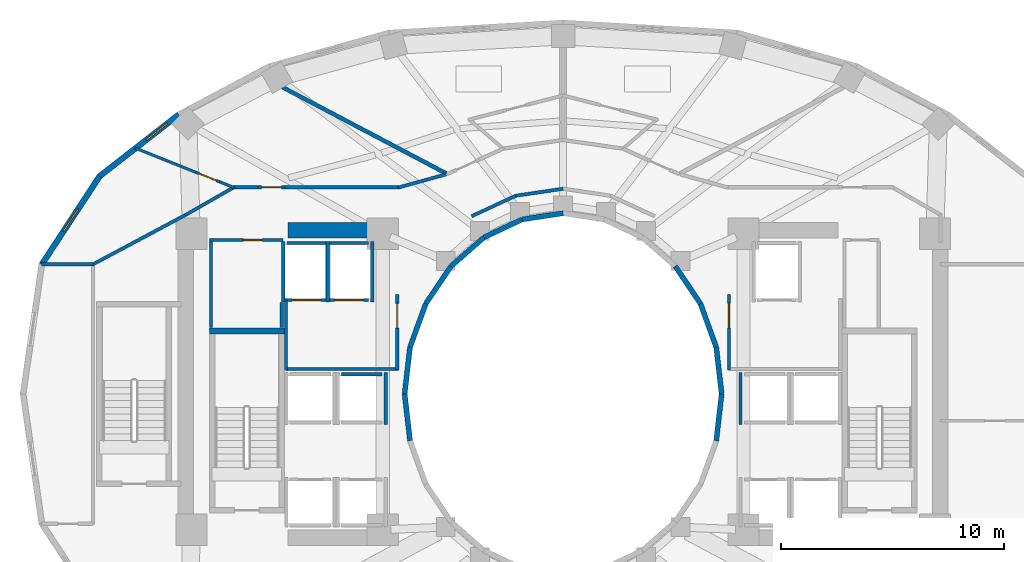
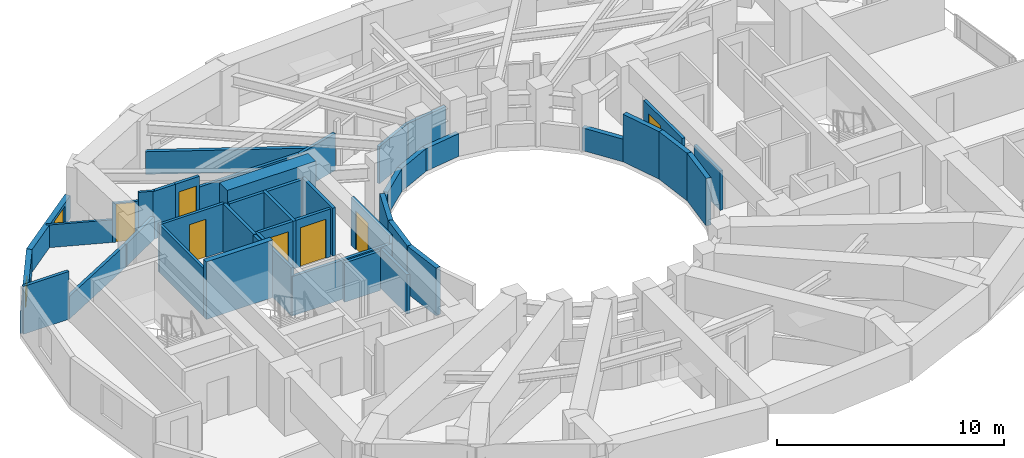
# One storey, part 8 of 14: 45 walls, 7 doors, 2 windows, 9 openings.
"""IFC4 building model written with IfcOpenShell, lengths in metres."""

from ifc_helpers import new_model, si_unit, direction, frame, frame_2d, origin, place, context, subcontext, project, spatial, rectangle, extrude, material, layer, layer_set, type_object, element, fill, save


model = new_model("IFC4")

# Units and contexts
model_context = context("Model", 3, precision=1e-05, world=origin(), true_north=direction((0.0, 1.0)))
body_context = subcontext(model_context, "Body", "Model", "MODEL_VIEW")
ifc_project = project(units=[si_unit("LENGTHUNIT", "METRE"), si_unit("AREAUNIT", "SQUARE_METRE"), si_unit("VOLUMEUNIT", "CUBIC_METRE"), si_unit("PLANEANGLEUNIT", "RADIAN"), si_unit("MASSUNIT", "GRAM", prefix="KILO")], contexts=[model_context])

# Site, building, storey
site_placement = place(None, origin())
site = spatial("IfcSite", under=ifc_project, at=site_placement, CompositionType="ELEMENT")
building_placement = place(site_placement, origin())
building = spatial("IfcBuilding", under=site, at=building_placement, Name="Solvane Sanctuary Tower", CompositionType="ELEMENT")
storey_placement = place(building_placement, frame((0.0, 0.0, 91.800048828125)))
storey = spatial("IfcBuildingStorey", under=building, at=storey_placement, Name="L27", CompositionType="ELEMENT", Elevation=91.800048828125)

# Walls
ifc_material_1 = material(Name="Concrete C60/75", Category="concrete")
ifc_layer_1 = layer(ifc_material_1, 0.699951171875, Name="Concrete C60/75")
ifc_layer_set_1 = layer_set([ifc_layer_1], Name="Concrete C60/75")
wall_type_1 = type_object("IfcWallType", Name="Wall W-CORE-700", PredefinedType="SHEAR", material=ifc_layer_set_1)
wall_1_placement = place(storey_placement, frame((19.64990234375, 30.35009765625, 0.0), z_axis=(0.0, 0.0, 1.0), x_axis=(1.0, 0.0, 0.0)))
element("IfcWall", 1, at=wall_1_placement, inside=storey, type_object=wall_type_1, Name="L27 Core Shear Wall WC-N", PredefinedType="SHEAR", context=body_context, shape_type="SweptSolid", body=[
    extrude(rectangle(XDim=4.5, YDim=0.699951171875, at=frame_2d((2.25, 0.0))), origin(), (0.0, 0.0, 1.0), 3.099853515625),
])
ifc_material_2 = material(Name="Acoustic Gypsum Partition Board")
ifc_layer_2 = layer(ifc_material_2, 0.14990234375, Name="Acoustic Gypsum Partition Board")
ifc_layer_set_2 = layer_set([ifc_layer_2], Name="Acoustic Gypsum Partition Board")
wall_type_2 = type_object("IfcWallType", Name="Wall W-CORR-150", PredefinedType="PARTITIONING", material=ifc_layer_set_2)
wall_2_placement = place(storey_placement, frame((19.52001953125, 24.1201171875, 0.0), z_axis=(0.0, 0.0, 1.0), x_axis=(1.0, 0.0, 0.0)))
element("IfcWall", 2, at=wall_2_placement, inside=storey, type_object=wall_type_2, Name="L27 West Firefighting Lobby South Wall", PredefinedType="PARTITIONING", context=body_context, shape_type="SweptSolid", body=[
    extrude(rectangle(XDim=5.080078125, YDim=0.14990234375, at=frame_2d((2.5400390625, 0.0))), origin(), (0.0, 0.0, 1.0), 2.119873046875),
])
wall_3_placement = place(storey_placement, frame((19.550048828125, 24.080078125, 0.0), z_axis=(0.0, 0.0, 1.0), x_axis=(0.0, 1.0, 0.0)))
element("IfcWall", 3, at=wall_3_placement, inside=storey, type_object=wall_type_2, Name="L27 West Firefighting Lobby West Wall", PredefinedType="PARTITIONING", context=body_context, shape_type="SweptSolid", body=[
    extrude(rectangle(XDim=3.199951171875, YDim=0.14990234375, at=frame_2d((1.60009765625, 0.0))), origin(), (0.0, 0.0, 1.0), 2.574951171875),
])

# Wall, opening, door
wall_4_placement = place(storey_placement, frame((24.550048828125, 24.080078125, 0.0), z_axis=(0.0, 0.0, 1.0), x_axis=(0.0, 1.0, 0.0)))
wall_4 = element("IfcWall", 4, at=wall_4_placement, inside=storey, type_object=wall_type_2, Name="L27 West Firefighting Lobby East Wall", PredefinedType="PARTITIONING", context=body_context, shape_type="SweptSolid", body=[
    extrude(rectangle(XDim=3.39990234375, YDim=0.14990234375, at=frame_2d((1.699951171875, 0.0))), origin(), (0.0, 0.0, 1.0), 2.574951171875),
])
opening_1_placement = place(wall_4_placement, frame((1.893798828125, 0.0, 0.0)))
opening_1 = element("IfcOpeningElement", 5, at=opening_1_placement, cuts=wall_4, Name="Opening D-L27-04", PredefinedType="OPENING", context=body_context, shape_type="SweptSolid", body=[
    extrude(rectangle(XDim=1.10009765625, YDim=2.10009765625, at=frame_2d((0.550048828125, 1.050048828125))), frame((0.0, 0.0849609375, 0.0), z_axis=(0.0, -1.0, 0.0), x_axis=(1.0, 0.0, 0.0)), (0.0, 0.0, 1.0), 0.169921875),
])
ifc_material_3 = material(Name="Architectural Stainless Steel 316", Category="steel")
door_type_1 = type_object("IfcDoorType", Name="Door D-FFL", OperationType="NOTDEFINED", PredefinedType="DOOR", material=ifc_material_3)
door_1_placement = place(opening_1_placement, origin())
door_1 = element("IfcDoor", 6, at=door_1_placement, inside=storey, type_object=door_type_1, Name="L27 West Firefighting Lobby Fire Door", OperationType="SINGLE_SWING_LEFT", OverallHeight=2.10009765625, OverallWidth=1.10009765625, PredefinedType="DOOR", context=body_context, shape_type="SweptSolid", body=[
    extrude(rectangle(XDim=1.10009765625, YDim=2.10009765625, at=frame_2d((0.550048828125, 1.050048828125))), frame((0.0, 0.02490234375, 0.0), z_axis=(0.0, -1.0, 0.0), x_axis=(1.0, 0.0, 0.0)), (0.0, 0.0, 1.0), 0.050048828125),
])
fill(opening_1, door_1)

wall_5_placement = place(storey_placement, frame((39.449951171875, 24.080078125, 0.0), z_axis=(0.0, 0.0, 1.0), x_axis=(0.0, 1.0, 0.0)))
wall_5 = element("IfcWall", 7, at=wall_5_placement, inside=storey, type_object=wall_type_2, Name="L27 East Firefighting Lobby West Wall", PredefinedType="PARTITIONING", context=body_context, shape_type="SweptSolid", body=[
    extrude(rectangle(XDim=3.39990234375, YDim=0.14990234375, at=frame_2d((1.699951171875, 0.0))), origin(), (0.0, 0.0, 1.0), 2.574951171875),
])
opening_2_placement = place(wall_5_placement, frame((1.893798828125, 0.0, 0.0)))
opening_2 = element("IfcOpeningElement", 8, at=opening_2_placement, cuts=wall_5, Name="Opening D-L27-05", PredefinedType="OPENING", context=body_context, shape_type="SweptSolid", body=[
    extrude(rectangle(XDim=1.10009765625, YDim=2.10009765625, at=frame_2d((0.550048828125, 1.050048828125))), frame((0.0, 0.0849609375, 0.0), z_axis=(0.0, -1.0, 0.0), x_axis=(1.0, 0.0, 0.0)), (0.0, 0.0, 1.0), 0.169921875),
])
door_2_placement = place(opening_2_placement, origin())
door_2 = element("IfcDoor", 9, at=door_2_placement, inside=storey, type_object=door_type_1, Name="L27 East Firefighting Lobby Fire Door", OperationType="SINGLE_SWING_RIGHT", OverallHeight=2.10009765625, OverallWidth=1.10009765625, PredefinedType="DOOR", context=body_context, shape_type="SweptSolid", body=[
    extrude(rectangle(XDim=1.10009765625, YDim=2.10009765625, at=frame_2d((0.550048828125, 1.050048828125))), frame((0.0, 0.02490234375, 0.0), z_axis=(0.0, -1.0, 0.0), x_axis=(1.0, 0.0, 0.0)), (0.0, 0.0, 1.0), 0.050048828125),
])
fill(opening_2, door_2)

# Walls
wall_6_placement = place(storey_placement, frame((32.0, 32.219970703125, 0.0), z_axis=(0.0, 0.0, 1.0), x_axis=(-0.989268584896, -0.146108408166, 0.0)))
element("IfcWall", 10, at=wall_6_placement, inside=storey, type_object=wall_type_2, Name="L27 Light-Well Corridor Rim Wall N3", PredefinedType="PARTITIONING", context=body_context, shape_type="SweptSolid", body=[
    extrude(rectangle(XDim=2.150634765625, YDim=0.14990234375, at=frame_2d((1.0751953125, 0.0))), origin(), (0.0, 0.0, 1.0), 1.991943359375),
])
wall_7_placement = place(storey_placement, frame((29.87255859375, 31.90576171875, 0.0), z_axis=(0.0, 0.0, 1.0), x_axis=(-0.906943449489, -0.421252393975, 0.0)))
element("IfcWall", 11, at=wall_7_placement, inside=storey, type_object=wall_type_2, Name="L27 Light-Well Corridor Rim Wall N4", PredefinedType="PARTITIONING", context=body_context, shape_type="SweptSolid", body=[
    extrude(rectangle(XDim=2.18603515625, YDim=0.14990234375, at=frame_2d((1.093017578125, 0.0))), origin(), (0.0, 0.0, 1.0), 1.991943359375),
])
wall_8_placement = place(storey_placement, frame((8.558349609375, 28.8251953125, 0.0), z_axis=(0.0, 0.0, 1.0), x_axis=(1.0, 0.0, 0.0)))
element("IfcWall", 12, at=wall_8_placement, inside=storey, type_object=wall_type_2, Name="L27 West Shoulder North Wall", PredefinedType="PARTITIONING", context=body_context, shape_type="SweptSolid", body=[
    extrude(rectangle(XDim=2.321533203125, YDim=0.14990234375, at=frame_2d((1.16064453125, 0.0))), origin(), (0.0, 0.0, 1.0), 2.574951171875),
])
wall_9_placement = place(storey_placement, frame((10.8447265625, 28.806396484375, 0.0), z_axis=(0.0, 0.0, 1.0), x_axis=(0.88227840565, 0.470727962759, 0.0)))
element("IfcWall", 13, at=wall_9_placement, inside=storey, type_object=wall_type_2, Name="L27 NW Corner Closer 1", PredefinedType="PARTITIONING", context=body_context, shape_type="SweptSolid", body=[
    extrude(rectangle(XDim=4.806396484375, YDim=0.14990234375, at=frame_2d((2.4033203125, 0.0))), origin(), (0.0, 0.0, 1.0), 1.219970703125),
])
wall_10_placement = place(storey_placement, frame((26.741943359375, 32.86669921875, 0.0), z_axis=(0.0, 0.0, 1.0), x_axis=(-0.963833843713, -0.266503886865, 0.0)))
element("IfcWall", 14, at=wall_10_placement, inside=storey, type_object=wall_type_2, Name="L27 NW Corner Throat Wall", PredefinedType="PARTITIONING", context=body_context, shape_type="SweptSolid", body=[
    extrude(rectangle(XDim=2.231689453125, YDim=0.14990234375, at=frame_2d((1.11572265625, 0.0))), origin(), (0.0, 0.0, 1.0), 1.991943359375),
])
wall_11_placement = place(storey_placement, frame((17.14990234375, 32.280029296875, 0.0), z_axis=(0.0, 0.0, 1.0), x_axis=(1.0, 0.0, 0.0)))
element("IfcWall", 15, at=wall_11_placement, inside=storey, type_object=wall_type_2, Name="L27 NW Corner Corridor Wall", PredefinedType="PARTITIONING", context=body_context, shape_type="SweptSolid", body=[
    extrude(rectangle(XDim=1.14013671875, YDim=0.14990234375, at=frame_2d((0.570068359375, 0.0))), origin(), (0.0, 0.0, 1.0), 2.574951171875),
])

# Wall, opening, door
wall_12_placement = place(storey_placement, frame((18.2900390625, 32.280029296875, 0.0), z_axis=(0.0, 0.0, 1.0), x_axis=(1.0, 0.0, 0.0)))
wall_12 = element("IfcWall", 16, at=wall_12_placement, inside=storey, type_object=wall_type_2, Name="L27 NW Corner Corridor Wall", PredefinedType="PARTITIONING", context=body_context, shape_type="SweptSolid", body=[
    extrude(rectangle(XDim=1.219970703125, YDim=0.14990234375, at=frame_2d((0.60986328125, 0.0))), origin(), (0.0, 0.0, 1.0), 2.574951171875),
])
opening_3_placement = place(wall_12_placement, frame((0.159912109375, 0.0, 0.0)))
opening_3 = element("IfcOpeningElement", 17, at=opening_3_placement, cuts=wall_12, Name="Opening D-L27-13", PredefinedType="OPENING", context=body_context, shape_type="SweptSolid", body=[
    extrude(rectangle(XDim=0.89990234375, YDim=2.10009765625, at=frame_2d((0.449951171875, 1.050048828125))), frame((0.0, 0.0849609375, 0.0), z_axis=(0.0, -1.0, 0.0), x_axis=(1.0, 0.0, 0.0)), (0.0, 0.0, 1.0), 0.169921875),
])
ifc_material_4 = material(Name="Engineered Tropical Hardwood", Category="wood")
door_type_2 = type_object("IfcDoorType", Name="Door D-WET-900", OperationType="NOTDEFINED", PredefinedType="DOOR", material=ifc_material_4)
door_3_placement = place(opening_3_placement, origin())
door_3 = element("IfcDoor", 18, at=door_3_placement, inside=storey, type_object=door_type_2, Name="L27 NW Corner Salon Door", OperationType="SINGLE_SWING_RIGHT", OverallHeight=2.10009765625, OverallWidth=0.89990234375, PredefinedType="DOOR", context=body_context, shape_type="SweptSolid", body=[
    extrude(rectangle(XDim=0.89990234375, YDim=2.10009765625, at=frame_2d((0.449951171875, 1.050048828125))), frame((0.0, 0.02490234375, 0.0), z_axis=(0.0, -1.0, 0.0), x_axis=(1.0, 0.0, 0.0)), (0.0, 0.0, 1.0), 0.050048828125),
])
fill(opening_3, door_3)

# Walls
wall_13_placement = place(storey_placement, frame((19.510009765625, 32.280029296875, 0.0), z_axis=(0.0, 0.0, 1.0), x_axis=(1.0, 0.0, 0.0)))
element("IfcWall", 19, at=wall_13_placement, inside=storey, type_object=wall_type_2, Name="L27 NW Corner Corridor Wall", PredefinedType="PARTITIONING", context=body_context, shape_type="SweptSolid", body=[
    extrude(rectangle(XDim=5.159912109375, YDim=0.14990234375, at=frame_2d((2.580078125, 0.0))), origin(), (0.0, 0.0, 1.0), 1.991943359375),
])
wall_14_placement = place(storey_placement, frame((17.243408203125, 32.3046875, 0.0), z_axis=(0.0, 0.0, 1.0), x_axis=(-0.867991349648, -0.496579315857, 0.0)))
element("IfcWall", 20, at=wall_14_placement, inside=storey, type_object=wall_type_2, Name="L27 NW Corner Wing Wall", PredefinedType="PARTITIONING", context=body_context, shape_type="SweptSolid", body=[
    extrude(rectangle(XDim=2.56689453125, YDim=0.14990234375, at=frame_2d((1.283447265625, 0.0))), origin(), (0.0, 0.0, 1.0), 1.219970703125),
])

# Wall, opening, window
ifc_material_5 = material(Name="Precast concrete C40/50", Category="concrete")
ifc_layer_3 = layer(ifc_material_5, 0.260009765625, Name="Precast concrete C40/50")
ifc_layer_set_3 = layer_set([ifc_layer_3], Name="Precast concrete C40/50")
wall_type_3 = type_object("IfcWallType", Name="Wall W-EXT-250", PredefinedType="STANDARD", material=ifc_layer_set_3)
wall_15_placement = place(storey_placement, frame((14.734130859375, 35.55322265625, 0.0), z_axis=(0.0, 0.0, 1.0), x_axis=(-0.789127449954, -0.614229491094, 0.0)))
wall_15 = element("IfcWall", 21, at=wall_15_placement, inside=storey, type_object=wall_type_3, Name="L27 Ceramic-Printed Facade Wall 09", PredefinedType="STANDARD", context=body_context, shape_type="SweptSolid", body=[
    extrude(rectangle(XDim=4.504638671875, YDim=0.260009765625, at=frame_2d((2.25244140625, 0.0))), origin(), (0.0, 0.0, 1.0), 1.219970703125),
])
opening_4_placement = place(wall_15_placement, frame((0.65478515625, 0.0, 0.14990234375)))
opening_4 = element("IfcOpeningElement", 22, at=opening_4_placement, cuts=wall_15, Name="Opening WN-OPER-1200", PredefinedType="OPENING", context=body_context, shape_type="SweptSolid", body=[
    extrude(rectangle(XDim=1.199951171875, YDim=0.89990234375, at=frame_2d((0.60009765625, 0.449951171875))), frame((0.0, 0.139892578125, 0.0), z_axis=(0.0, -1.0, 0.0), x_axis=(1.0, 0.0, 0.0)), (0.0, 0.0, 1.0), 0.280029296875),
])
ifc_material_6 = material(Name="Dark Ceramic-Fritted Low-E Glass", Category="glass")
window_type = type_object("IfcWindowType", Name="Window WN-OPER-1200", PartitioningType="SINGLE_PANEL", PredefinedType="WINDOW", material=ifc_material_6)
window_1_placement = place(opening_4_placement, origin())
window_1 = element("IfcWindow", 23, at=window_1_placement, inside=storey, type_object=window_type, Name="L27 Operable Facade Window 09", OverallHeight=0.89990234375, OverallWidth=1.199951171875, PartitioningType="SINGLE_PANEL", PredefinedType="WINDOW", context=body_context, shape_type="SweptSolid", body=[
    extrude(rectangle(XDim=1.199951171875, YDim=0.89990234375, at=frame_2d((0.60009765625, 0.449951171875))), frame((0.0, 0.030029296875, 0.0), z_axis=(0.0, -1.0, 0.0), x_axis=(1.0, 0.0, 0.0)), (0.0, 0.0, 1.0), 0.06005859375),
])
fill(opening_4, window_1)

wall_16_placement = place(storey_placement, frame((11.179443359375, 32.786376953125, 0.0), z_axis=(0.0, 0.0, 1.0), x_axis=(-0.548283220945, -0.836292717672, 0.0)))
wall_16 = element("IfcWall", 24, at=wall_16_placement, inside=storey, type_object=wall_type_3, Name="L27 Ceramic-Printed Facade Wall 10", PredefinedType="STANDARD", context=body_context, shape_type="SweptSolid", body=[
    extrude(rectangle(XDim=4.744384765625, YDim=0.260009765625, at=frame_2d((2.3720703125, 0.0))), origin(), (0.0, 0.0, 1.0), 1.219970703125),
])
opening_5_placement = place(wall_16_placement, frame((1.772216796875, 0.0, 0.14990234375)))
opening_5 = element("IfcOpeningElement", 25, at=opening_5_placement, cuts=wall_16, Name="Opening WN-OPER-1200", PredefinedType="OPENING", context=body_context, shape_type="SweptSolid", body=[
    extrude(rectangle(XDim=1.199951171875, YDim=0.89990234375, at=frame_2d((0.60009765625, 0.449951171875))), frame((0.0, 0.139892578125, 0.0), z_axis=(0.0, -1.0, 0.0), x_axis=(1.0, 0.0, 0.0)), (0.0, 0.0, 1.0), 0.280029296875),
])
window_2_placement = place(opening_5_placement, origin())
window_2 = element("IfcWindow", 26, at=window_2_placement, inside=storey, type_object=window_type, Name="L27 Operable Facade Window 10", OverallHeight=0.89990234375, OverallWidth=1.199951171875, PartitioningType="SINGLE_PANEL", PredefinedType="WINDOW", context=body_context, shape_type="SweptSolid", body=[
    extrude(rectangle(XDim=1.199951171875, YDim=0.89990234375, at=frame_2d((0.60009765625, 0.449951171875))), frame((0.0, 0.030029296875, 0.0), z_axis=(0.0, -1.0, 0.0), x_axis=(1.0, 0.0, 0.0)), (0.0, 0.0, 1.0), 0.06005859375),
])
fill(opening_5, window_2)

# Walls
ifc_layer_4 = layer(ifc_material_5, 0.22998046875, Name="Precast concrete C40/50")
ifc_layer_set_4 = layer_set([ifc_layer_4], Name="Precast concrete C40/50")
wall_type_4 = type_object("IfcWallType", Name="Wall W-EXT-SP220", PredefinedType="STANDARD", material=ifc_layer_set_4)
wall_17_placement = place(storey_placement, frame((39.1201171875, 23.0, 0.0), z_axis=(0.0, 0.0, 1.0), x_axis=(-0.114711713601, 0.993398823617, 0.0)))
element("IfcWall", 27, at=wall_17_placement, inside=storey, type_object=wall_type_4, Name="L27 Central Light-Well Wall 00", PredefinedType="STANDARD", context=body_context, shape_type="SweptSolid", body=[
    extrude(rectangle(XDim=2.115478515625, YDim=0.22998046875, at=frame_2d((1.0576171875, 0.0))), origin(), (0.0, 0.0, 1.0), 2.56005859375),
])
wall_18_placement = place(storey_placement, frame((38.87744140625, 25.1015625, 0.0), z_axis=(0.0, 0.0, 1.0), x_axis=(-0.341423187295, 0.93990968033, 0.0)))
element("IfcWall", 28, at=wall_18_placement, inside=storey, type_object=wall_type_4, Name="L27 Central Light-Well Wall 01", PredefinedType="STANDARD", context=body_context, shape_type="SweptSolid", body=[
    extrude(rectangle(XDim=2.083740234375, YDim=0.22998046875, at=frame_2d((1.0419921875, 0.0))), origin(), (0.0, 0.0, 1.0), 2.56005859375),
])
wall_19_placement = place(storey_placement, frame((38.166015625, 27.06005859375, 0.0), z_axis=(0.0, 0.0, 1.0), x_axis=(-0.558197800898, 0.829707909492, 0.0)))
element("IfcWall", 29, at=wall_19_placement, inside=storey, type_object=wall_type_4, Name="L27 Central Light-Well Wall 02", PredefinedType="STANDARD", context=body_context, shape_type="SweptSolid", body=[
    extrude(rectangle(XDim=2.02685546875, YDim=0.22998046875, at=frame_2d((1.013427734375, 0.0))), origin(), (0.0, 0.0, 1.0), 1.219970703125),
])
wall_20_placement = place(storey_placement, frame((32.0, 31.1201171875, 0.0), z_axis=(0.0, 0.0, 1.0), x_axis=(-0.988901730308, -0.148571086668, 0.0)))
element("IfcWall", 30, at=wall_20_placement, inside=storey, type_object=wall_type_4, Name="L27 Central Light-Well Wall 06", PredefinedType="STANDARD", context=body_context, shape_type="SweptSolid", body=[
    extrude(rectangle(XDim=1.863525390625, YDim=0.22998046875, at=frame_2d((0.931640625, 0.0))), origin(), (0.0, 0.0, 1.0), 1.219970703125),
])
wall_21_placement = place(storey_placement, frame((30.1572265625, 30.84326171875, 0.0), z_axis=(0.0, 0.0, 1.0), x_axis=(-0.904179699603, -0.427152280606, 0.0)))
element("IfcWall", 31, at=wall_21_placement, inside=storey, type_object=wall_type_4, Name="L27 Central Light-Well Wall 07", PredefinedType="STANDARD", context=body_context, shape_type="SweptSolid", body=[
    extrude(rectangle(XDim=1.899169921875, YDim=0.22998046875, at=frame_2d((0.94970703125, 0.0))), origin(), (0.0, 0.0, 1.0), 1.219970703125),
])
wall_22_placement = place(storey_placement, frame((28.43994140625, 30.031982421875, 0.0), z_axis=(0.0, 0.0, 1.0), x_axis=(-0.752576694707, -0.658504607869, 0.0)))
element("IfcWall", 32, at=wall_22_placement, inside=storey, type_object=wall_type_4, Name="L27 Central Light-Well Wall 08", PredefinedType="STANDARD", context=body_context, shape_type="SweptSolid", body=[
    extrude(rectangle(XDim=1.95947265625, YDim=0.22998046875, at=frame_2d((0.979736328125, 0.0))), origin(), (0.0, 0.0, 1.0), 1.219970703125),
])
wall_23_placement = place(storey_placement, frame((26.96533203125, 28.74169921875, 0.0), z_axis=(0.0, 0.0, 1.0), x_axis=(-0.558197800898, -0.829707909492, 0.0)))
element("IfcWall", 33, at=wall_23_placement, inside=storey, type_object=wall_type_4, Name="L27 Central Light-Well Wall 09", PredefinedType="STANDARD", context=body_context, shape_type="SweptSolid", body=[
    extrude(rectangle(XDim=2.02685546875, YDim=0.22998046875, at=frame_2d((1.013427734375, 0.0))), origin(), (0.0, 0.0, 1.0), 1.219970703125),
])
wall_24_placement = place(storey_placement, frame((25.833984375, 27.06005859375, 0.0), z_axis=(0.0, 0.0, 1.0), x_axis=(-0.341423187295, -0.93990968033, 0.0)))
element("IfcWall", 34, at=wall_24_placement, inside=storey, type_object=wall_type_4, Name="L27 Central Light-Well Wall 10", PredefinedType="STANDARD", context=body_context, shape_type="SweptSolid", body=[
    extrude(rectangle(XDim=2.083740234375, YDim=0.22998046875, at=frame_2d((1.0419921875, 0.0))), origin(), (0.0, 0.0, 1.0), 2.56005859375),
])
for number, where, z_axis, x_axis, name in (
    (35, (25.12255859375, 25.1015625, 0.0), (0.0, 0.0, 1.0), (-0.114711713601, -0.993398823617, 0.0), "L27 Central Light-Well Wall 11"),
    (36, (24.8798828125, 23.0, 0.0), (0.0, 0.0, 1.0), (0.114711713601, -0.993398823617, 0.0), "L27 Central Light-Well Wall 12"),
    (37, (38.87744140625, 20.8984375, 0.0), (0.0, 0.0, 1.0), (0.114711713601, 0.993398823617, 0.0), "L27 Central Light-Well Wall 23"),
):
    element("IfcWall", number, at=place(storey_placement, frame(where, z_axis=z_axis, x_axis=x_axis)), inside=storey, type_object=wall_type_4, Name=name, PredefinedType="STANDARD", context=body_context, shape_type="SweptSolid", body=[
        extrude(rectangle(XDim=2.115478515625, YDim=0.22998046875, at=frame_2d((1.0576171875, 0.0))), origin(), (0.0, 0.0, 1.0), 2.56005859375),
    ])
ifc_layer_5 = layer(ifc_material_2, 0.1201171875, Name="Acoustic Gypsum Partition Board")
ifc_layer_set_5 = layer_set([ifc_layer_5], Name="Acoustic Gypsum Partition Board")
wall_type_5 = type_object("IfcWallType", Name="Wall W-MOV-100", PredefinedType="MOVABLE", material=ifc_layer_set_5)
wall_25_placement = place(storey_placement, frame((17.246337890625, 32.261474609375, 0.0), z_axis=(0.0, 0.0, 1.0), x_axis=(-0.928523579206, 0.371273434087, 0.0)))
element("IfcWall", 38, at=wall_25_placement, inside=storey, type_object=wall_type_5, Name="L27 NW Corner Suite Partition", PredefinedType="MOVABLE", context=body_context, shape_type="SweptSolid", body=[
    extrude(rectangle(XDim=0.718017578125, YDim=0.1201171875, at=frame_2d((0.35888671875, 0.0))), origin(), (0.0, 0.0, 1.0), 2.574951171875),
])

# Wall, opening, door
wall_26_placement = place(storey_placement, frame((16.57958984375, 32.528076171875, 0.0), z_axis=(0.0, 0.0, 1.0), x_axis=(-0.928519864551, 0.371282723991, 0.0)))
wall_26 = element("IfcWall", 39, at=wall_26_placement, inside=storey, type_object=wall_type_5, Name="L27 NW Corner Suite Partition", PredefinedType="MOVABLE", context=body_context, shape_type="SweptSolid", body=[
    extrude(rectangle(XDim=1.169677734375, YDim=0.1201171875, at=frame_2d((0.5849609375, 0.0))), origin(), (0.0, 0.0, 1.0), 2.10986328125),
])
opening_6_placement = place(wall_26_placement, frame((0.159912109375, 0.0, 0.0)))
opening_6 = element("IfcOpeningElement", 40, at=opening_6_placement, cuts=wall_26, Name="Opening D-L27-12", PredefinedType="OPENING", context=body_context, shape_type="SweptSolid", body=[
    extrude(rectangle(XDim=0.85009765625, YDim=2.050048828125, at=frame_2d((0.425048828125, 1.02490234375))), frame((0.0, 0.070068359375, 0.0), z_axis=(0.0, -1.0, 0.0), x_axis=(1.0, 0.0, 0.0)), (0.0, 0.0, 1.0), 0.14013671875),
])
door_type_3 = type_object("IfcDoorType", Name="Door D-RISER", OperationType="NOTDEFINED", PredefinedType="DOOR", material=ifc_material_3)
door_4_placement = place(opening_6_placement, origin())
door_4 = element("IfcDoor", 41, at=door_4_placement, inside=storey, type_object=door_type_3, Name="L27 NW Corner Suite Door", OperationType="SINGLE_SWING_LEFT", OverallHeight=2.050048828125, OverallWidth=0.85009765625, PredefinedType="DOOR", context=body_context, shape_type="SweptSolid", body=[
    extrude(rectangle(XDim=0.85009765625, YDim=2.050048828125, at=frame_2d((0.425048828125, 1.02490234375))), frame((0.0, 0.02490234375, 0.0), z_axis=(0.0, -1.0, 0.0), x_axis=(1.0, 0.0, 0.0)), (0.0, 0.0, 1.0), 0.050048828125),
])
fill(opening_6, door_4)

# Walls
wall_27_placement = place(storey_placement, frame((15.493408203125, 32.96240234375, 0.0), z_axis=(0.0, 0.0, 1.0), x_axis=(-0.928505377566, 0.37131895162, 0.0)))
element("IfcWall", 42, at=wall_27_placement, inside=storey, type_object=wall_type_5, Name="L27 NW Corner Suite Partition", PredefinedType="MOVABLE", context=body_context, shape_type="SweptSolid", body=[
    extrude(rectangle(XDim=2.934326171875, YDim=0.1201171875, at=frame_2d((1.46728515625, 0.0))), origin(), (0.0, 0.0, 1.0), 1.219970703125),
])
ifc_material_7 = material(Name="Concrete C50/60", Category="concrete")
ifc_layer_6 = layer(ifc_material_7, 0.14990234375, Name="Concrete C50/60")
ifc_layer_set_6 = layer_set([ifc_layer_6], Name="Concrete C50/60")
wall_type_6 = type_object("IfcWallType", Name="Wall W-SHAFT-150", PredefinedType="SOLIDWALL", material=ifc_layer_set_6)
wall_28_placement = place(storey_placement, frame((22.0400390625, 23.8798828125, 0.0), z_axis=(0.0, 0.0, 1.0), x_axis=(1.0, 0.0, 0.0)))
element("IfcWall", 43, at=wall_28_placement, inside=storey, type_object=wall_type_6, Name="L27 PH-1 Lift Shaft Wall B", PredefinedType="SOLIDWALL", context=body_context, shape_type="SweptSolid", body=[
    extrude(rectangle(XDim=1.820068359375, YDim=0.14990234375, at=frame_2d((0.91015625, 0.0))), origin(), (0.0, 0.0, 1.0), 2.119873046875),
])
for number, where, z_axis, x_axis, name in (
    (44, (24.030029296875, 21.639892578125, 0.0), (0.0, 0.0, 1.0), (0.0, 1.0, 0.0), "L27 PH-1 Lift Shaft Wall S2"),
    (45, (39.969970703125, 21.639892578125, 0.0), (0.0, 0.0, 1.0), (0.0, 1.0, 0.0), "L27 PH-2 Lift Shaft Wall S1"),
):
    element("IfcWall", number, at=place(storey_placement, frame(where, z_axis=z_axis, x_axis=x_axis)), inside=storey, type_object=wall_type_6, Name=name, PredefinedType="SOLIDWALL", context=body_context, shape_type="SweptSolid", body=[
        extrude(rectangle(XDim=2.320068359375, YDim=0.14990234375, at=frame_2d((1.16015625, 0.0))), origin(), (0.0, 0.0, 1.0), 2.119873046875),
    ])

# Wall, opening, door
wall_29_placement = place(storey_placement, frame((19.590087890625, 27.219970703125, 0.0), z_axis=(0.0, 0.0, 1.0), x_axis=(1.0, 0.0, 0.0)))
wall_29 = element("IfcWall", 46, at=wall_29_placement, inside=storey, type_object=wall_type_6, Name="L27 FFL-1 Lift Shaft Wall F", PredefinedType="SOLIDWALL", context=body_context, shape_type="SweptSolid", body=[
    extrude(rectangle(XDim=1.760009765625, YDim=0.14990234375, at=frame_2d((0.8798828125, 0.0))), origin(), (0.0, 0.0, 1.0), 2.574951171875),
])
opening_7_placement = place(wall_29_placement, frame((0.22998046875, 0.0, 0.0)))
opening_7 = element("IfcOpeningElement", 47, at=opening_7_placement, cuts=wall_29, Name="Opening LD-L27-05", PredefinedType="OPENING", context=body_context, shape_type="SweptSolid", body=[
    extrude(rectangle(XDim=1.300048828125, YDim=2.10009765625, at=frame_2d((0.64990234375, 1.050048828125))), frame((0.0, 0.0849609375, 0.0), z_axis=(0.0, -1.0, 0.0), x_axis=(1.0, 0.0, 0.0)), (0.0, 0.0, 1.0), 0.169921875),
])
door_type_4 = type_object("IfcDoorType", Name="Door LD-FFL-1300", OperationType="NOTDEFINED", PredefinedType="DOOR", material=ifc_material_3)
door_5_placement = place(opening_7_placement, origin())
door_5 = element("IfcDoor", 48, at=door_5_placement, inside=storey, type_object=door_type_4, Name="L27 FFL-1 Lift Landing Door", OperationType="DOUBLE_DOOR_SLIDING", OverallHeight=2.10009765625, OverallWidth=1.300048828125, PredefinedType="DOOR", context=body_context, shape_type="SweptSolid", body=[
    extrude(rectangle(XDim=1.300048828125, YDim=2.10009765625, at=frame_2d((0.64990234375, 1.050048828125))), frame((0.0, 0.02490234375, 0.0), z_axis=(0.0, -1.0, 0.0), x_axis=(1.0, 0.0, 0.0)), (0.0, 0.0, 1.0), 0.050048828125),
])
fill(opening_7, door_5)

# Walls
wall_30_placement = place(storey_placement, frame((19.590087890625, 29.780029296875, 0.0), z_axis=(0.0, 0.0, 1.0), x_axis=(1.0, 0.0, 0.0)))
element("IfcWall", 49, at=wall_30_placement, inside=storey, type_object=wall_type_6, Name="L27 FFL-1 Lift Shaft Wall B", PredefinedType="SOLIDWALL", context=body_context, shape_type="SweptSolid", body=[
    extrude(rectangle(XDim=1.760009765625, YDim=0.14990234375, at=frame_2d((0.8798828125, 0.0))), origin(), (0.0, 0.0, 1.0), 2.574951171875),
])
for number, where, z_axis, x_axis, name in (
    (50, (19.419921875, 27.139892578125, 0.0), (0.0, 0.0, 1.0), (0.0, 1.0, 0.0), "L27 FFL-1 Lift Shaft Wall S1"),
    (51, (21.425048828125, 27.139892578125, 0.0), (0.0, 0.0, 1.0), (0.0, 1.0, 0.0), "L27 FFL-1 Lift Shaft Wall S2"),
):
    element("IfcWall", number, at=place(storey_placement, frame(where, z_axis=z_axis, x_axis=x_axis)), inside=storey, type_object=wall_type_6, Name=name, PredefinedType="SOLIDWALL", context=body_context, shape_type="SweptSolid", body=[
        extrude(rectangle(XDim=2.72021484375, YDim=0.14990234375, at=frame_2d((1.360107421875, 0.0))), origin(), (0.0, 0.0, 1.0), 2.574951171875),
    ])

# Wall, opening, door
wall_31_placement = place(storey_placement, frame((21.5, 27.219970703125, 0.0), z_axis=(0.0, 0.0, 1.0), x_axis=(1.0, 0.0, 0.0)))
wall_31 = element("IfcWall", 52, at=wall_31_placement, inside=storey, type_object=wall_type_6, Name="L27 SVL-1 Lift Shaft Wall F", PredefinedType="SOLIDWALL", context=body_context, shape_type="SweptSolid", body=[
    extrude(rectangle(XDim=1.760009765625, YDim=0.14990234375, at=frame_2d((0.8798828125, 0.0))), origin(), (0.0, 0.0, 1.0), 2.574951171875),
])
opening_8_placement = place(wall_31_placement, frame((0.22998046875, 0.0, 0.0)))
opening_8 = element("IfcOpeningElement", 53, at=opening_8_placement, cuts=wall_31, Name="Opening LD-L27-06", PredefinedType="OPENING", context=body_context, shape_type="SweptSolid", body=[
    extrude(rectangle(XDim=1.300048828125, YDim=2.10009765625, at=frame_2d((0.64990234375, 1.050048828125))), frame((0.0, 0.0849609375, 0.0), z_axis=(0.0, -1.0, 0.0), x_axis=(1.0, 0.0, 0.0)), (0.0, 0.0, 1.0), 0.169921875),
])
door_6_placement = place(opening_8_placement, origin())
door_6 = element("IfcDoor", 54, at=door_6_placement, inside=storey, type_object=door_type_4, Name="L27 SVL-1 Lift Landing Door", OperationType="DOUBLE_DOOR_SLIDING", OverallHeight=2.10009765625, OverallWidth=1.300048828125, PredefinedType="DOOR", context=body_context, shape_type="SweptSolid", body=[
    extrude(rectangle(XDim=1.300048828125, YDim=2.10009765625, at=frame_2d((0.64990234375, 1.050048828125))), frame((0.0, 0.02490234375, 0.0), z_axis=(0.0, -1.0, 0.0), x_axis=(1.0, 0.0, 0.0)), (0.0, 0.0, 1.0), 0.050048828125),
])
fill(opening_8, door_6)

# Walls
wall_32_placement = place(storey_placement, frame((21.5, 29.780029296875, 0.0), z_axis=(0.0, 0.0, 1.0), x_axis=(1.0, 0.0, 0.0)))
element("IfcWall", 55, at=wall_32_placement, inside=storey, type_object=wall_type_6, Name="L27 SVL-1 Lift Shaft Wall B", PredefinedType="SOLIDWALL", context=body_context, shape_type="SweptSolid", body=[
    extrude(rectangle(XDim=1.760009765625, YDim=0.14990234375, at=frame_2d((0.8798828125, 0.0))), origin(), (0.0, 0.0, 1.0), 2.574951171875),
])
wall_33_placement = place(storey_placement, frame((23.429931640625, 27.139892578125, 0.0), z_axis=(0.0, 0.0, 1.0), x_axis=(0.0, 1.0, 0.0)))
element("IfcWall", 56, at=wall_33_placement, inside=storey, type_object=wall_type_6, Name="L27 SVL-1 Lift Shaft Wall S2", PredefinedType="SOLIDWALL", context=body_context, shape_type="SweptSolid", body=[
    extrude(rectangle(XDim=2.72021484375, YDim=0.14990234375, at=frame_2d((1.360107421875, 0.0))), origin(), (0.0, 0.0, 1.0), 2.574951171875),
])
ifc_layer_7 = layer(ifc_material_7, 0.25, Name="Concrete C50/60")
ifc_layer_set_7 = layer_set([ifc_layer_7], Name="Concrete C50/60")
wall_type_7 = type_object("IfcWallType", Name="Wall W-SHAFT-250", PredefinedType="SOLIDWALL", material=ifc_layer_set_7)
wall_34_placement = place(storey_placement, frame((16.10498046875, 25.830078125, 0.0), z_axis=(0.0, 0.0, 1.0), x_axis=(1.0, 0.0, 0.0)))
element("IfcWall", 57, at=wall_34_placement, inside=storey, type_object=wall_type_7, Name="L27 ST-1 Load-Bearing Shaft Wall N", PredefinedType="SOLIDWALL", context=body_context, shape_type="SweptSolid", body=[
    extrude(rectangle(XDim=3.3701171875, YDim=0.25, at=frame_2d((1.68505859375, 0.0))), origin(), (0.0, 0.0, 1.0), 3.099853515625),
])
ifc_layer_8 = layer(ifc_material_2, 0.179931640625, Name="Acoustic Gypsum Partition Board")
ifc_layer_set_8 = layer_set([ifc_layer_8], Name="Acoustic Gypsum Partition Board")
wall_type_8 = type_object("IfcWallType", Name="Wall W-UNIT-180", PredefinedType="PARTITIONING", material=ifc_layer_set_8)
wall_35_placement = place(storey_placement, frame((26.746337890625, 32.906982421875, 0.0), z_axis=(0.0, 0.0, 1.0), x_axis=(-0.884730147854, 0.466103599512, 0.0)))
element("IfcWall", 58, at=wall_35_placement, inside=storey, type_object=wall_type_8, Name="L27 Radial Compartment Wall 120", PredefinedType="PARTITIONING", context=body_context, shape_type="SweptSolid", body=[
    extrude(rectangle(XDim=8.309814453125, YDim=0.179931640625, at=frame_2d((4.15478515625, 0.0))), origin(), (0.0, 0.0, 1.0), 1.219970703125),
])

# Wall, opening, door
ifc_layer_9 = layer(ifc_material_2, 0.139892578125, Name="Acoustic Gypsum Partition Board")
ifc_layer_set_9 = layer_set([ifc_layer_9], Name="Acoustic Gypsum Partition Board")
wall_type_9 = type_object("IfcWallType", Name="Wall W-WET-140", PredefinedType="PLUMBINGWALL", material=ifc_layer_set_9)
wall_36_placement = place(storey_placement, frame((16.1201171875, 29.919921875, 0.0), z_axis=(0.0, 0.0, 1.0), x_axis=(1.0, 0.0, 0.0)))
wall_36 = element("IfcWall", 59, at=wall_36_placement, inside=storey, type_object=wall_type_9, Name="L27 Core Service Front Wall KW0", PredefinedType="PLUMBINGWALL", context=body_context, shape_type="SweptSolid", body=[
    extrude(rectangle(XDim=3.2998046875, YDim=0.139892578125, at=frame_2d((1.64990234375, 0.0))), origin(), (0.0, 0.0, 1.0), 2.574951171875),
])
opening_9_placement = place(wall_36_placement, frame((1.515869140625, 0.0, 0.0)))
opening_9 = element("IfcOpeningElement", 60, at=opening_9_placement, cuts=wall_36, Name="Opening D-L27-06", PredefinedType="OPENING", context=body_context, shape_type="SweptSolid", body=[
    extrude(rectangle(XDim=0.85009765625, YDim=2.050048828125, at=frame_2d((0.425048828125, 1.02490234375))), frame((0.0, 0.079833984375, 0.0), z_axis=(0.0, -1.0, 0.0), x_axis=(1.0, 0.0, 0.0)), (0.0, 0.0, 1.0), 0.159912109375),
])
door_7_placement = place(opening_9_placement, origin())
door_7 = element("IfcDoor", 61, at=door_7_placement, inside=storey, type_object=door_type_3, Name="L27 Core Service Room Door KW0-1", OperationType="SINGLE_SWING_LEFT", OverallHeight=2.050048828125, OverallWidth=0.85009765625, PredefinedType="DOOR", context=body_context, shape_type="SweptSolid", body=[
    extrude(rectangle(XDim=0.85009765625, YDim=2.050048828125, at=frame_2d((0.425048828125, 1.02490234375))), frame((0.0, 0.02490234375, 0.0), z_axis=(0.0, -1.0, 0.0), x_axis=(1.0, 0.0, 0.0)), (0.0, 0.0, 1.0), 0.050048828125),
])
fill(opening_9, door_7)

# Walls
wall_37_placement = place(storey_placement, frame((16.179931640625, 25.97998046875, 0.0), z_axis=(0.0, 0.0, 1.0), x_axis=(0.0, 1.0, 0.0)))
element("IfcWall", 62, at=wall_37_placement, inside=storey, type_object=wall_type_9, Name="L27 Core Service Side Wall KW0-1", PredefinedType="PLUMBINGWALL", context=body_context, shape_type="SweptSolid", body=[
    extrude(rectangle(XDim=3.880126953125, YDim=0.139892578125, at=frame_2d((1.93994140625, 0.0))), origin(), (0.0, 0.0, 1.0), 2.574951171875),
])
wall_38_placement = place(storey_placement, frame((19.360107421875, 25.97998046875, 0.0), z_axis=(0.0, 0.0, 1.0), x_axis=(0.0, 1.0, 0.0)))
element("IfcWall", 63, at=wall_38_placement, inside=storey, type_object=wall_type_9, Name="L27 Core Service Side Wall KW0-2", PredefinedType="PLUMBINGWALL", context=body_context, shape_type="SweptSolid", body=[
    extrude(rectangle(XDim=1.1201171875, YDim=0.139892578125, at=frame_2d((0.56005859375, 0.0))), origin(), (0.0, 0.0, 1.0), 2.574951171875),
])

save(model, "model.ifc")
